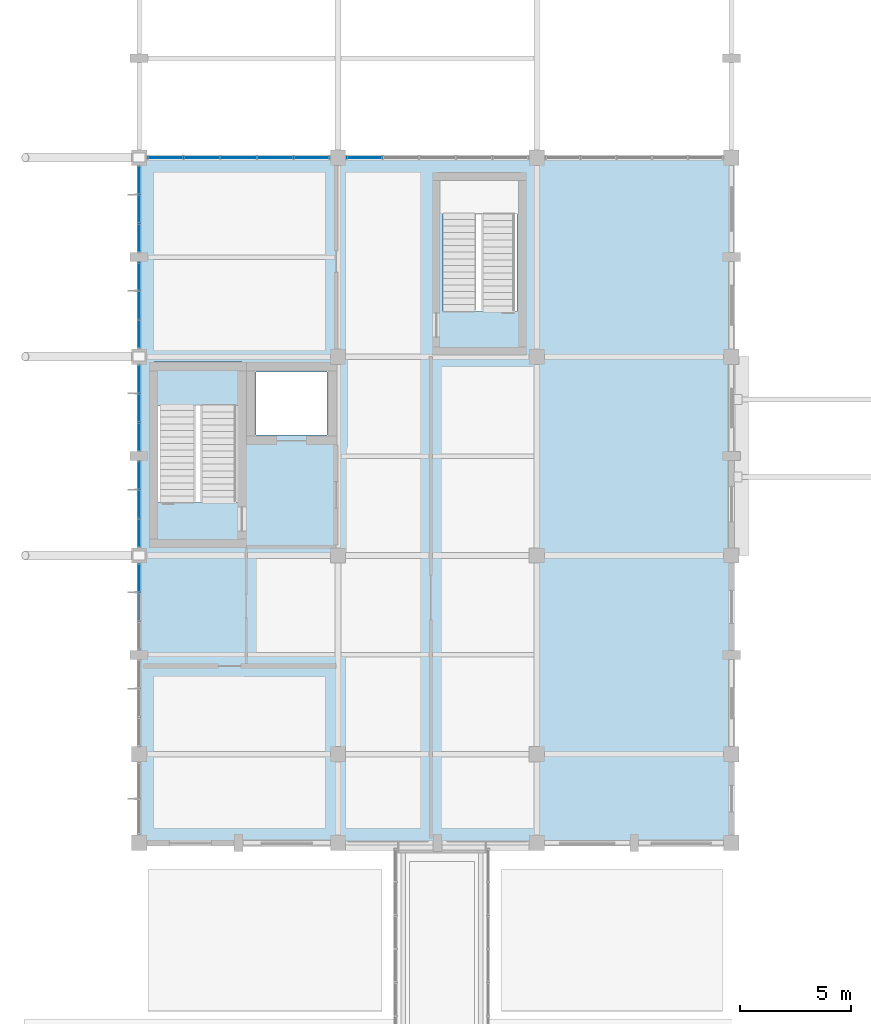
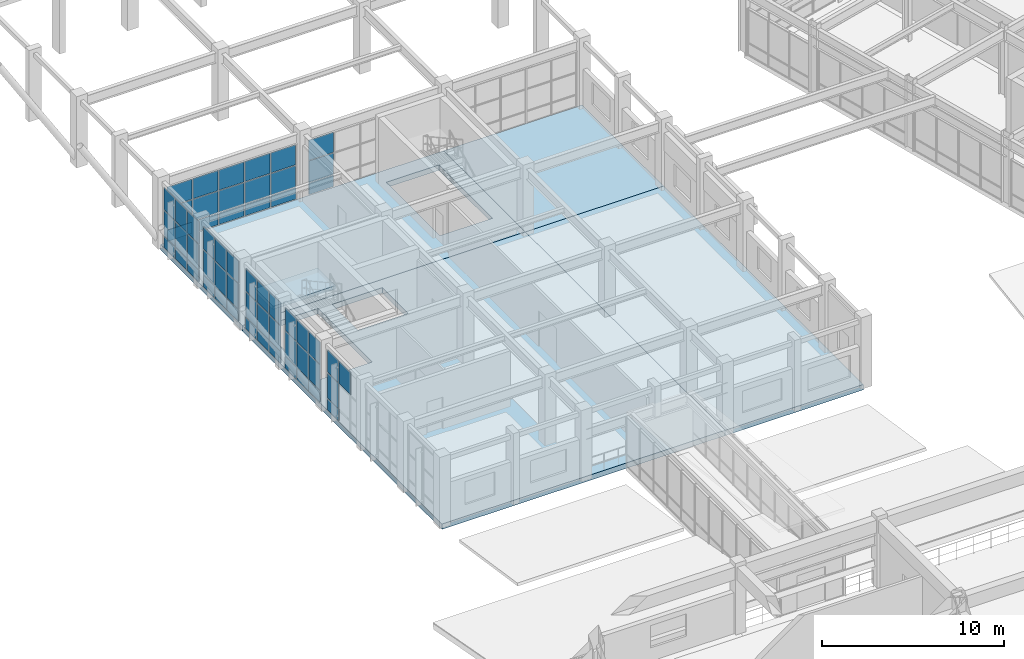
# One storey, part 72 of 104: 58 plates, 5 slabs, 8 elements without a shape of their own.
"""IFC4 building model written with IfcOpenShell, lengths in metres."""

from ifc_helpers import new_model, si_unit, direction, frame, origin, origin_2d, place, context, subcontext, project, spatial, polyline, rectangle, outline, extrude, material, layer, layer_set, type_object, element, aggregate, save


model = new_model("IFC4")

# Units and contexts
model_context = context("Model", 3, precision=1e-05, world=origin(), true_north=direction((0.0, 1.0)))
body_context = subcontext(model_context, "Body", "Model", "MODEL_VIEW")
ifc_project = project(units=[si_unit("LENGTHUNIT", "METRE"), si_unit("AREAUNIT", "SQUARE_METRE"), si_unit("VOLUMEUNIT", "CUBIC_METRE"), si_unit("PLANEANGLEUNIT", "RADIAN"), si_unit("MASSUNIT", "GRAM", prefix="KILO")], contexts=[model_context])

# Site, building, storey
site_placement = place(None, origin())
site = spatial("IfcSite", under=ifc_project, at=site_placement, CompositionType="ELEMENT")
building_placement = place(site_placement, origin())
building = spatial("IfcBuilding", under=site, at=building_placement, Name="Ventoquebrada Cableway Terminal", CompositionType="ELEMENT")
storey_placement = place(building_placement, frame((0.0, 0.0, 4.800048828125)))
storey = spatial("IfcBuildingStorey", under=building, at=storey_placement, Name="L01", CompositionType="ELEMENT", Elevation=4.800048828125)

# Curtain wall, plates
ifc_material_1 = material(Name="Anodized thermally-broken aluminium", Category="aluminium")
ifc_layer_1 = layer(ifc_material_1, 0.159912109375)
ifc_layer_set_1 = layer_set([ifc_layer_1], Name="Anodized thermally-broken aluminium")
curtain_wall_type_1 = type_object("IfcCurtainWallType", Name="CW-T14", PredefinedType="USERDEFINED", material=ifc_layer_set_1)
curtain_wall_1_placement = place(storey_placement, origin())
curtain_wall_1 = element("IfcCurtainWall", 1, at=curtain_wall_1_placement, inside=storey, type_object=curtain_wall_type_1, Name="Unitised glazed curtain wall CW-030", ObjectType="UNITISED CURTAIN WALL", PredefinedType="USERDEFINED")
ifc_material_2 = material(Name="Double low-e laminated safety glazing", Category="glass")
ifc_layer_2 = layer(ifc_material_2, 0.031982421875)
ifc_layer_set_2 = layer_set([ifc_layer_2], Name="Double low-e laminated safety glazing")
plate_type_1 = type_object("IfcPlateType", Name="CWP-GL1", PredefinedType="CURTAIN_PANEL", material=ifc_layer_set_2)
plate_1_placement = place(storey_placement, frame((15.998046875, 95.0, 2.36328125), z_axis=(0.0, 0.0, 1.0), x_axis=(-1.0, 0.0, 0.0)))
plate_1 = element("IfcPlate", 2, at=plate_1_placement, type_object=plate_type_1, Name="Vision glazing panel PN-0290", PredefinedType="CURTAIN_PANEL", context=body_context, shape_type="SweptSolid", body=[
    extrude(rectangle(XDim=1.573974609375, YDim=0.031982421875, at=origin_2d()), origin(), (0.0, 0.0, 1.0), 1.34912109375),
])
plate_2_placement = place(storey_placement, frame((14.35693359375, 95.0, 0.875), z_axis=(0.0, 0.0, 1.0), x_axis=(-1.0, 0.0, 0.0)))
plate_2 = element("IfcPlate", 3, at=plate_2_placement, type_object=plate_type_1, Name="Vision glazing panel PN-0292", PredefinedType="CURTAIN_PANEL", context=body_context, shape_type="SweptSolid", body=[
    extrude(rectangle(XDim=1.60888671875, YDim=0.031982421875, at=origin_2d()), origin(), (0.0, 0.0, 1.0), 1.43994140625),
])
plate_3_placement = place(storey_placement, frame((12.699951171875, 95.0, 2.36328125), z_axis=(0.0, 0.0, 1.0), x_axis=(-1.0, 0.0, 0.0)))
plate_3 = element("IfcPlate", 4, at=plate_3_placement, type_object=plate_type_1, Name="Vision glazing panel PN-0296", PredefinedType="CURTAIN_PANEL", context=body_context, shape_type="SweptSolid", body=[
    extrude(rectangle(XDim=1.60888671875, YDim=0.031982421875, at=origin_2d()), origin(), (0.0, 0.0, 1.0), 1.34912109375),
])
plate_4_placement = place(storey_placement, frame((11.041015625, 95.0, 0.875), z_axis=(0.0, 0.0, 1.0), x_axis=(-1.0, 0.0, 0.0)))
plate_4 = element("IfcPlate", 5, at=plate_4_placement, type_object=plate_type_1, Name="Vision glazing panel PN-0298", PredefinedType="CURTAIN_PANEL", context=body_context, shape_type="SweptSolid", body=[
    extrude(rectangle(XDim=1.60888671875, YDim=0.031982421875, at=origin_2d()), origin(), (0.0, 0.0, 1.0), 1.43994140625),
])
plate_5_placement = place(storey_placement, frame((9.40087890625, 95.0, 2.36328125), z_axis=(0.0, 0.0, 1.0), x_axis=(-1.0, 0.0, 0.0)))
plate_5 = element("IfcPlate", 6, at=plate_5_placement, type_object=plate_type_1, Name="Vision glazing panel PN-0302", PredefinedType="CURTAIN_PANEL", context=body_context, shape_type="SweptSolid", body=[
    extrude(rectangle(XDim=1.573974609375, YDim=0.031982421875, at=origin_2d()), origin(), (0.0, 0.0, 1.0), 1.34912109375),
])

# Curtain wall, plate
curtain_wall_2_placement = place(storey_placement, origin())
curtain_wall_2 = element("IfcCurtainWall", 7, at=curtain_wall_2_placement, inside=storey, type_object=curtain_wall_type_1, Name="Unitised glazed curtain wall CW-031", ObjectType="UNITISED CURTAIN WALL", PredefinedType="USERDEFINED")
plate_6_placement = place(storey_placement, frame((18.40087890625, 95.0, 2.36328125), z_axis=(0.0, 0.0, 1.0), x_axis=(-1.0, 0.0, 0.0)))
plate_6 = element("IfcPlate", 8, at=plate_6_placement, type_object=plate_type_1, Name="Vision glazing panel PN-0317", PredefinedType="CURTAIN_PANEL", context=body_context, shape_type="SweptSolid", body=[
    extrude(rectangle(XDim=1.573974609375, YDim=0.031982421875, at=origin_2d()), origin(), (0.0, 0.0, 1.0), 1.34912109375),
])

ifc_layer_3 = layer(ifc_material_1, 0.159912109375)
ifc_layer_set_3 = layer_set([ifc_layer_3], Name="Anodized thermally-broken aluminium")
curtain_wall_type_2 = type_object("IfcCurtainWallType", Name="CW-T17", PredefinedType="USERDEFINED", material=ifc_layer_set_3)
curtain_wall_3_placement = place(storey_placement, origin())
curtain_wall_3 = element("IfcCurtainWall", 9, at=curtain_wall_3_placement, inside=storey, type_object=curtain_wall_type_2, Name="Unitised glazed curtain wall CW-034", ObjectType="UNITISED CURTAIN WALL", PredefinedType="USERDEFINED")
plate_7_placement = place(storey_placement, frame((8.199951171875, 75.969970703125, 2.603515625), z_axis=(0.0, 0.0, 1.0), x_axis=(0.0, -1.0, 0.0)))
plate_7 = element("IfcPlate", 10, at=plate_7_placement, type_object=plate_type_1, Name="Vision glazing panel PN-0341", PredefinedType="CURTAIN_PANEL", context=body_context, shape_type="SweptSolid", body=[
    extrude(rectangle(XDim=1.22900390625, YDim=0.031982421875, at=origin_2d()), origin(), (0.0, 0.0, 1.0), 1.4970703125),
])

# Curtain wall, plates
curtain_wall_4_placement = place(storey_placement, origin())
curtain_wall_4 = element("IfcCurtainWall", 11, at=curtain_wall_4_placement, inside=storey, type_object=curtain_wall_type_2, Name="Unitised glazed curtain wall CW-036", ObjectType="UNITISED CURTAIN WALL", PredefinedType="USERDEFINED")
plate_8_placement = place(storey_placement, frame((8.199951171875, 84.969970703125, 2.603515625), z_axis=(0.0, 0.0, 1.0), x_axis=(0.0, -1.0, 0.0)))
plate_8 = element("IfcPlate", 12, at=plate_8_placement, type_object=plate_type_1, Name="Vision glazing panel PN-0359", PredefinedType="CURTAIN_PANEL", context=body_context, shape_type="SweptSolid", body=[
    extrude(rectangle(XDim=1.22900390625, YDim=0.031982421875, at=origin_2d()), origin(), (0.0, 0.0, 1.0), 1.4970703125),
])
plate_9_placement = place(storey_placement, frame((8.199951171875, 83.675048828125, 0.8740234375), z_axis=(0.0, 0.0, 1.0), x_axis=(0.0, -1.0, 0.0)))
plate_9 = element("IfcPlate", 13, at=plate_9_placement, type_object=plate_type_1, Name="Vision glazing panel PN-0361", PredefinedType="CURTAIN_PANEL", context=body_context, shape_type="SweptSolid", body=[
    extrude(rectangle(XDim=1.263916015625, YDim=0.031982421875, at=origin_2d()), origin(), (0.0, 0.0, 1.0), 1.679931640625),
])
plate_10_placement = place(storey_placement, frame((8.199951171875, 82.37890625, 2.603515625), z_axis=(0.0, 0.0, 1.0), x_axis=(0.0, -1.0, 0.0)))
plate_10 = element("IfcPlate", 14, at=plate_10_placement, type_object=plate_type_1, Name="Vision glazing panel PN-0365", PredefinedType="CURTAIN_PANEL", context=body_context, shape_type="SweptSolid", body=[
    extrude(rectangle(XDim=1.22900390625, YDim=0.031982421875, at=origin_2d()), origin(), (0.0, 0.0, 1.0), 1.4970703125),
])

curtain_wall_5_placement = place(storey_placement, origin())
curtain_wall_5 = element("IfcCurtainWall", 15, at=curtain_wall_5_placement, inside=storey, type_object=curtain_wall_type_2, Name="Unitised glazed curtain wall CW-037", ObjectType="UNITISED CURTAIN WALL", PredefinedType="USERDEFINED")
plate_11_placement = place(storey_placement, frame((8.199951171875, 80.62109375, 2.603515625), z_axis=(0.0, 0.0, 1.0), x_axis=(0.0, -1.0, 0.0)))
plate_11 = element("IfcPlate", 16, at=plate_11_placement, type_object=plate_type_1, Name="Vision glazing panel PN-0368", PredefinedType="CURTAIN_PANEL", context=body_context, shape_type="SweptSolid", body=[
    extrude(rectangle(XDim=1.22900390625, YDim=0.031982421875, at=origin_2d()), origin(), (0.0, 0.0, 1.0), 1.4970703125),
])
plate_12_placement = place(storey_placement, frame((8.199951171875, 79.324951171875, 0.8740234375), z_axis=(0.0, 0.0, 1.0), x_axis=(0.0, -1.0, 0.0)))
plate_12 = element("IfcPlate", 17, at=plate_12_placement, type_object=plate_type_1, Name="Vision glazing panel PN-0370", PredefinedType="CURTAIN_PANEL", context=body_context, shape_type="SweptSolid", body=[
    extrude(rectangle(XDim=1.263916015625, YDim=0.031982421875, at=origin_2d()), origin(), (0.0, 0.0, 1.0), 1.679931640625),
])
plate_13_placement = place(storey_placement, frame((8.199951171875, 78.030029296875, 2.603515625), z_axis=(0.0, 0.0, 1.0), x_axis=(0.0, -1.0, 0.0)))
plate_13 = element("IfcPlate", 18, at=plate_13_placement, type_object=plate_type_1, Name="Vision glazing panel PN-0374", PredefinedType="CURTAIN_PANEL", context=body_context, shape_type="SweptSolid", body=[
    extrude(rectangle(XDim=1.22900390625, YDim=0.031982421875, at=origin_2d()), origin(), (0.0, 0.0, 1.0), 1.4970703125),
])

curtain_wall_6_placement = place(storey_placement, origin())
curtain_wall_6 = element("IfcCurtainWall", 19, at=curtain_wall_6_placement, inside=storey, type_object=curtain_wall_type_2, Name="Unitised glazed curtain wall CW-038", ObjectType="UNITISED CURTAIN WALL", PredefinedType="USERDEFINED")
plate_14_placement = place(storey_placement, frame((8.199951171875, 93.969970703125, 2.603515625), z_axis=(0.0, 0.0, 1.0), x_axis=(0.0, -1.0, 0.0)))
plate_14 = element("IfcPlate", 20, at=plate_14_placement, type_object=plate_type_1, Name="Vision glazing panel PN-0377", PredefinedType="CURTAIN_PANEL", context=body_context, shape_type="SweptSolid", body=[
    extrude(rectangle(XDim=1.22900390625, YDim=0.031982421875, at=origin_2d()), origin(), (0.0, 0.0, 1.0), 1.4970703125),
])
plate_15_placement = place(storey_placement, frame((8.199951171875, 92.675048828125, 0.8740234375), z_axis=(0.0, 0.0, 1.0), x_axis=(0.0, -1.0, 0.0)))
plate_15 = element("IfcPlate", 21, at=plate_15_placement, type_object=plate_type_1, Name="Vision glazing panel PN-0379", PredefinedType="CURTAIN_PANEL", context=body_context, shape_type="SweptSolid", body=[
    extrude(rectangle(XDim=1.263916015625, YDim=0.031982421875, at=origin_2d()), origin(), (0.0, 0.0, 1.0), 1.679931640625),
])
plate_16_placement = place(storey_placement, frame((8.199951171875, 91.37890625, 2.603515625), z_axis=(0.0, 0.0, 1.0), x_axis=(0.0, -1.0, 0.0)))
plate_16 = element("IfcPlate", 22, at=plate_16_placement, type_object=plate_type_1, Name="Vision glazing panel PN-0383", PredefinedType="CURTAIN_PANEL", context=body_context, shape_type="SweptSolid", body=[
    extrude(rectangle(XDim=1.22900390625, YDim=0.031982421875, at=origin_2d()), origin(), (0.0, 0.0, 1.0), 1.4970703125),
])

curtain_wall_7_placement = place(storey_placement, origin())
curtain_wall_7 = element("IfcCurtainWall", 23, at=curtain_wall_7_placement, inside=storey, type_object=curtain_wall_type_2, Name="Unitised glazed curtain wall CW-039", ObjectType="UNITISED CURTAIN WALL", PredefinedType="USERDEFINED")
plate_17_placement = place(storey_placement, frame((8.199951171875, 89.62109375, 2.603515625), z_axis=(0.0, 0.0, 1.0), x_axis=(0.0, -1.0, 0.0)))
plate_17 = element("IfcPlate", 24, at=plate_17_placement, type_object=plate_type_1, Name="Vision glazing panel PN-0386", PredefinedType="CURTAIN_PANEL", context=body_context, shape_type="SweptSolid", body=[
    extrude(rectangle(XDim=1.22900390625, YDim=0.031982421875, at=origin_2d()), origin(), (0.0, 0.0, 1.0), 1.4970703125),
])
plate_18_placement = place(storey_placement, frame((8.199951171875, 88.324951171875, 0.8740234375), z_axis=(0.0, 0.0, 1.0), x_axis=(0.0, -1.0, 0.0)))
plate_18 = element("IfcPlate", 25, at=plate_18_placement, type_object=plate_type_1, Name="Vision glazing panel PN-0388", PredefinedType="CURTAIN_PANEL", context=body_context, shape_type="SweptSolid", body=[
    extrude(rectangle(XDim=1.263916015625, YDim=0.031982421875, at=origin_2d()), origin(), (0.0, 0.0, 1.0), 1.679931640625),
])
plate_19_placement = place(storey_placement, frame((8.199951171875, 87.030029296875, 2.603515625), z_axis=(0.0, 0.0, 1.0), x_axis=(0.0, -1.0, 0.0)))
plate_19 = element("IfcPlate", 26, at=plate_19_placement, type_object=plate_type_1, Name="Vision glazing panel PN-0392", PredefinedType="CURTAIN_PANEL", context=body_context, shape_type="SweptSolid", body=[
    extrude(rectangle(XDim=1.22900390625, YDim=0.031982421875, at=origin_2d()), origin(), (0.0, 0.0, 1.0), 1.4970703125),
])

# Plate
ifc_layer_4 = layer(ifc_material_2, 0.0380859375)
ifc_layer_set_4 = layer_set([ifc_layer_4], Name="Double low-e laminated safety glazing")
plate_type_2 = type_object("IfcPlateType", Name="CWP-GL2", PredefinedType="CURTAIN_PANEL", material=ifc_layer_set_4)
plate_20_placement = place(storey_placement, frame((15.998046875, 95.0, 0.875), z_axis=(0.0, 0.0, 1.0), x_axis=(-1.0, 0.0, 0.0)))
plate_20 = element("IfcPlate", 27, at=plate_20_placement, type_object=plate_type_2, Name="Vision glazing panel PN-0289", PredefinedType="CURTAIN_PANEL", context=body_context, shape_type="SweptSolid", body=[
    extrude(rectangle(XDim=1.573974609375, YDim=0.0380859375, at=origin_2d()), origin(), (0.0, 0.0, 1.0), 1.43994140625),
])

plate_21_placement = place(storey_placement, frame((14.35693359375, 95.0, 2.36328125), z_axis=(0.0, 0.0, 1.0), x_axis=(-1.0, 0.0, 0.0)))
plate_21 = element("IfcPlate", 28, at=plate_21_placement, type_object=plate_type_2, Name="Vision glazing panel PN-0293", PredefinedType="CURTAIN_PANEL", context=body_context, shape_type="SweptSolid", body=[
    extrude(rectangle(XDim=1.60888671875, YDim=0.0380859375, at=origin_2d()), origin(), (0.0, 0.0, 1.0), 1.34912109375),
])

plate_22_placement = place(storey_placement, frame((12.699951171875, 95.0, 0.875), z_axis=(0.0, 0.0, 1.0), x_axis=(-1.0, 0.0, 0.0)))
plate_22 = element("IfcPlate", 29, at=plate_22_placement, type_object=plate_type_2, Name="Vision glazing panel PN-0295", PredefinedType="CURTAIN_PANEL", context=body_context, shape_type="SweptSolid", body=[
    extrude(rectangle(XDim=1.60888671875, YDim=0.0380859375, at=origin_2d()), origin(), (0.0, 0.0, 1.0), 1.43994140625),
])

plate_23_placement = place(storey_placement, frame((11.041015625, 95.0, 2.36328125), z_axis=(0.0, 0.0, 1.0), x_axis=(-1.0, 0.0, 0.0)))
plate_23 = element("IfcPlate", 30, at=plate_23_placement, type_object=plate_type_2, Name="Vision glazing panel PN-0299", PredefinedType="CURTAIN_PANEL", context=body_context, shape_type="SweptSolid", body=[
    extrude(rectangle(XDim=1.60888671875, YDim=0.0380859375, at=origin_2d()), origin(), (0.0, 0.0, 1.0), 1.34912109375),
])

plate_24_placement = place(storey_placement, frame((9.40087890625, 95.0, 0.875), z_axis=(0.0, 0.0, 1.0), x_axis=(-1.0, 0.0, 0.0)))
plate_24 = element("IfcPlate", 31, at=plate_24_placement, type_object=plate_type_2, Name="Vision glazing panel PN-0301", PredefinedType="CURTAIN_PANEL", context=body_context, shape_type="SweptSolid", body=[
    extrude(rectangle(XDim=1.573974609375, YDim=0.0380859375, at=origin_2d()), origin(), (0.0, 0.0, 1.0), 1.43994140625),
])

plate_25_placement = place(storey_placement, frame((18.40087890625, 95.0, 0.875), z_axis=(0.0, 0.0, 1.0), x_axis=(-1.0, 0.0, 0.0)))
plate_25 = element("IfcPlate", 32, at=plate_25_placement, type_object=plate_type_2, Name="Vision glazing panel PN-0316", PredefinedType="CURTAIN_PANEL", context=body_context, shape_type="SweptSolid", body=[
    extrude(rectangle(XDim=1.573974609375, YDim=0.0380859375, at=origin_2d()), origin(), (0.0, 0.0, 1.0), 1.43994140625),
])

plate_26_placement = place(storey_placement, frame((8.199951171875, 75.969970703125, 0.8740234375), z_axis=(0.0, 0.0, 1.0), x_axis=(0.0, -1.0, 0.0)))
plate_26 = element("IfcPlate", 33, at=plate_26_placement, type_object=plate_type_2, Name="Vision glazing panel PN-0340", PredefinedType="CURTAIN_PANEL", context=body_context, shape_type="SweptSolid", body=[
    extrude(rectangle(XDim=1.22900390625, YDim=0.0380859375, at=origin_2d()), origin(), (0.0, 0.0, 1.0), 1.679931640625),
])

plate_27_placement = place(storey_placement, frame((8.199951171875, 74.675048828125, 2.603515625), z_axis=(0.0, 0.0, 1.0), x_axis=(0.0, -1.0, 0.0)))
plate_27 = element("IfcPlate", 34, at=plate_27_placement, type_object=plate_type_2, Name="Vision glazing panel PN-0344", PredefinedType="CURTAIN_PANEL", context=body_context, shape_type="SweptSolid", body=[
    extrude(rectangle(XDim=1.263916015625, YDim=0.0380859375, at=origin_2d()), origin(), (0.0, 0.0, 1.0), 1.4970703125),
])

plate_28_placement = place(storey_placement, frame((8.199951171875, 84.969970703125, 0.8740234375), z_axis=(0.0, 0.0, 1.0), x_axis=(0.0, -1.0, 0.0)))
plate_28 = element("IfcPlate", 35, at=plate_28_placement, type_object=plate_type_2, Name="Vision glazing panel PN-0358", PredefinedType="CURTAIN_PANEL", context=body_context, shape_type="SweptSolid", body=[
    extrude(rectangle(XDim=1.22900390625, YDim=0.0380859375, at=origin_2d()), origin(), (0.0, 0.0, 1.0), 1.679931640625),
])

plate_29_placement = place(storey_placement, frame((8.199951171875, 83.675048828125, 2.603515625), z_axis=(0.0, 0.0, 1.0), x_axis=(0.0, -1.0, 0.0)))
plate_29 = element("IfcPlate", 36, at=plate_29_placement, type_object=plate_type_2, Name="Vision glazing panel PN-0362", PredefinedType="CURTAIN_PANEL", context=body_context, shape_type="SweptSolid", body=[
    extrude(rectangle(XDim=1.263916015625, YDim=0.0380859375, at=origin_2d()), origin(), (0.0, 0.0, 1.0), 1.4970703125),
])

plate_30_placement = place(storey_placement, frame((8.199951171875, 82.37890625, 0.8740234375), z_axis=(0.0, 0.0, 1.0), x_axis=(0.0, -1.0, 0.0)))
plate_30 = element("IfcPlate", 37, at=plate_30_placement, type_object=plate_type_2, Name="Vision glazing panel PN-0364", PredefinedType="CURTAIN_PANEL", context=body_context, shape_type="SweptSolid", body=[
    extrude(rectangle(XDim=1.22900390625, YDim=0.0380859375, at=origin_2d()), origin(), (0.0, 0.0, 1.0), 1.679931640625),
])

plate_31_placement = place(storey_placement, frame((8.199951171875, 80.62109375, 0.8740234375), z_axis=(0.0, 0.0, 1.0), x_axis=(0.0, -1.0, 0.0)))
plate_31 = element("IfcPlate", 38, at=plate_31_placement, type_object=plate_type_2, Name="Vision glazing panel PN-0367", PredefinedType="CURTAIN_PANEL", context=body_context, shape_type="SweptSolid", body=[
    extrude(rectangle(XDim=1.22900390625, YDim=0.0380859375, at=origin_2d()), origin(), (0.0, 0.0, 1.0), 1.679931640625),
])

plate_32_placement = place(storey_placement, frame((8.199951171875, 79.324951171875, 2.603515625), z_axis=(0.0, 0.0, 1.0), x_axis=(0.0, -1.0, 0.0)))
plate_32 = element("IfcPlate", 39, at=plate_32_placement, type_object=plate_type_2, Name="Vision glazing panel PN-0371", PredefinedType="CURTAIN_PANEL", context=body_context, shape_type="SweptSolid", body=[
    extrude(rectangle(XDim=1.263916015625, YDim=0.0380859375, at=origin_2d()), origin(), (0.0, 0.0, 1.0), 1.4970703125),
])

plate_33_placement = place(storey_placement, frame((8.199951171875, 78.030029296875, 0.8740234375), z_axis=(0.0, 0.0, 1.0), x_axis=(0.0, -1.0, 0.0)))
plate_33 = element("IfcPlate", 40, at=plate_33_placement, type_object=plate_type_2, Name="Vision glazing panel PN-0373", PredefinedType="CURTAIN_PANEL", context=body_context, shape_type="SweptSolid", body=[
    extrude(rectangle(XDim=1.22900390625, YDim=0.0380859375, at=origin_2d()), origin(), (0.0, 0.0, 1.0), 1.679931640625),
])

plate_34_placement = place(storey_placement, frame((8.199951171875, 93.969970703125, 0.8740234375), z_axis=(0.0, 0.0, 1.0), x_axis=(0.0, -1.0, 0.0)))
plate_34 = element("IfcPlate", 41, at=plate_34_placement, type_object=plate_type_2, Name="Vision glazing panel PN-0376", PredefinedType="CURTAIN_PANEL", context=body_context, shape_type="SweptSolid", body=[
    extrude(rectangle(XDim=1.22900390625, YDim=0.0380859375, at=origin_2d()), origin(), (0.0, 0.0, 1.0), 1.679931640625),
])

plate_35_placement = place(storey_placement, frame((8.199951171875, 92.675048828125, 2.603515625), z_axis=(0.0, 0.0, 1.0), x_axis=(0.0, -1.0, 0.0)))
plate_35 = element("IfcPlate", 42, at=plate_35_placement, type_object=plate_type_2, Name="Vision glazing panel PN-0380", PredefinedType="CURTAIN_PANEL", context=body_context, shape_type="SweptSolid", body=[
    extrude(rectangle(XDim=1.263916015625, YDim=0.0380859375, at=origin_2d()), origin(), (0.0, 0.0, 1.0), 1.4970703125),
])

plate_36_placement = place(storey_placement, frame((8.199951171875, 91.37890625, 0.8740234375), z_axis=(0.0, 0.0, 1.0), x_axis=(0.0, -1.0, 0.0)))
plate_36 = element("IfcPlate", 43, at=plate_36_placement, type_object=plate_type_2, Name="Vision glazing panel PN-0382", PredefinedType="CURTAIN_PANEL", context=body_context, shape_type="SweptSolid", body=[
    extrude(rectangle(XDim=1.22900390625, YDim=0.0380859375, at=origin_2d()), origin(), (0.0, 0.0, 1.0), 1.679931640625),
])

plate_37_placement = place(storey_placement, frame((8.199951171875, 89.62109375, 0.8740234375), z_axis=(0.0, 0.0, 1.0), x_axis=(0.0, -1.0, 0.0)))
plate_37 = element("IfcPlate", 44, at=plate_37_placement, type_object=plate_type_2, Name="Vision glazing panel PN-0385", PredefinedType="CURTAIN_PANEL", context=body_context, shape_type="SweptSolid", body=[
    extrude(rectangle(XDim=1.22900390625, YDim=0.0380859375, at=origin_2d()), origin(), (0.0, 0.0, 1.0), 1.679931640625),
])

plate_38_placement = place(storey_placement, frame((8.199951171875, 88.324951171875, 2.603515625), z_axis=(0.0, 0.0, 1.0), x_axis=(0.0, -1.0, 0.0)))
plate_38 = element("IfcPlate", 45, at=plate_38_placement, type_object=plate_type_2, Name="Vision glazing panel PN-0389", PredefinedType="CURTAIN_PANEL", context=body_context, shape_type="SweptSolid", body=[
    extrude(rectangle(XDim=1.263916015625, YDim=0.0380859375, at=origin_2d()), origin(), (0.0, 0.0, 1.0), 1.4970703125),
])

plate_39_placement = place(storey_placement, frame((8.199951171875, 87.030029296875, 0.8740234375), z_axis=(0.0, 0.0, 1.0), x_axis=(0.0, -1.0, 0.0)))
plate_39 = element("IfcPlate", 46, at=plate_39_placement, type_object=plate_type_2, Name="Vision glazing panel PN-0391", PredefinedType="CURTAIN_PANEL", context=body_context, shape_type="SweptSolid", body=[
    extrude(rectangle(XDim=1.22900390625, YDim=0.0380859375, at=origin_2d()), origin(), (0.0, 0.0, 1.0), 1.679931640625),
])

ifc_material_3 = material(Name="Insulated aluminium spandrel cassette", Category="aluminium")
ifc_layer_5 = layer(ifc_material_3, 0.044921875)
ifc_layer_set_5 = layer_set([ifc_layer_5], Name="Insulated aluminium spandrel cassette")
plate_type_3 = type_object("IfcPlateType", Name="CWP-SP1", PredefinedType="CURTAIN_PANEL", material=ifc_layer_set_5)
plate_40_placement = place(storey_placement, frame((15.998046875, 95.0, 0.058837890625), z_axis=(0.0, 0.0, 1.0), x_axis=(-1.0, 0.0, 0.0)))
plate_40 = element("IfcPlate", 47, at=plate_40_placement, type_object=plate_type_3, Name="Insulated spandrel panel PN-0288", PredefinedType="CURTAIN_PANEL", context=body_context, shape_type="SweptSolid", body=[
    extrude(rectangle(XDim=1.573974609375, YDim=0.044921875, at=origin_2d()), origin(), (0.0, 0.0, 1.0), 0.76611328125),
])

plate_41_placement = place(storey_placement, frame((14.35693359375, 95.0, 0.058837890625), z_axis=(0.0, 0.0, 1.0), x_axis=(-1.0, 0.0, 0.0)))
plate_41 = element("IfcPlate", 48, at=plate_41_placement, type_object=plate_type_3, Name="Insulated spandrel panel PN-0291", PredefinedType="CURTAIN_PANEL", context=body_context, shape_type="SweptSolid", body=[
    extrude(rectangle(XDim=1.60888671875, YDim=0.044921875, at=origin_2d()), origin(), (0.0, 0.0, 1.0), 0.76611328125),
])

plate_42_placement = place(storey_placement, frame((12.699951171875, 95.0, 0.058837890625), z_axis=(0.0, 0.0, 1.0), x_axis=(-1.0, 0.0, 0.0)))
plate_42 = element("IfcPlate", 49, at=plate_42_placement, type_object=plate_type_3, Name="Insulated spandrel panel PN-0294", PredefinedType="CURTAIN_PANEL", context=body_context, shape_type="SweptSolid", body=[
    extrude(rectangle(XDim=1.60888671875, YDim=0.044921875, at=origin_2d()), origin(), (0.0, 0.0, 1.0), 0.76611328125),
])

plate_43_placement = place(storey_placement, frame((11.041015625, 95.0, 0.058837890625), z_axis=(0.0, 0.0, 1.0), x_axis=(-1.0, 0.0, 0.0)))
plate_43 = element("IfcPlate", 50, at=plate_43_placement, type_object=plate_type_3, Name="Insulated spandrel panel PN-0297", PredefinedType="CURTAIN_PANEL", context=body_context, shape_type="SweptSolid", body=[
    extrude(rectangle(XDim=1.60888671875, YDim=0.044921875, at=origin_2d()), origin(), (0.0, 0.0, 1.0), 0.76611328125),
])

plate_44_placement = place(storey_placement, frame((9.40087890625, 95.0, 0.058837890625), z_axis=(0.0, 0.0, 1.0), x_axis=(-1.0, 0.0, 0.0)))
plate_44 = element("IfcPlate", 51, at=plate_44_placement, type_object=plate_type_3, Name="Insulated spandrel panel PN-0300", PredefinedType="CURTAIN_PANEL", context=body_context, shape_type="SweptSolid", body=[
    extrude(rectangle(XDim=1.573974609375, YDim=0.044921875, at=origin_2d()), origin(), (0.0, 0.0, 1.0), 0.76611328125),
])

aggregate(curtain_wall_1, [plate_40, plate_20, plate_1, plate_41, plate_2, plate_21, plate_42, plate_22, plate_3, plate_43, plate_4, plate_23, plate_44, plate_24, plate_5])

plate_45_placement = place(storey_placement, frame((18.40087890625, 95.0, 0.058837890625), z_axis=(0.0, 0.0, 1.0), x_axis=(-1.0, 0.0, 0.0)))
plate_45 = element("IfcPlate", 52, at=plate_45_placement, type_object=plate_type_3, Name="Insulated spandrel panel PN-0315", PredefinedType="CURTAIN_PANEL", context=body_context, shape_type="SweptSolid", body=[
    extrude(rectangle(XDim=1.573974609375, YDim=0.044921875, at=origin_2d()), origin(), (0.0, 0.0, 1.0), 0.76611328125),
])

aggregate(curtain_wall_2, [plate_45, plate_25, plate_6])

plate_46_placement = place(storey_placement, frame((8.199951171875, 75.969970703125, 0.058837890625), z_axis=(0.0, 0.0, 1.0), x_axis=(0.0, -1.0, 0.0)))
plate_46 = element("IfcPlate", 53, at=plate_46_placement, type_object=plate_type_3, Name="Insulated spandrel panel PN-0339", PredefinedType="CURTAIN_PANEL", context=body_context, shape_type="SweptSolid", body=[
    extrude(rectangle(XDim=1.22900390625, YDim=0.044921875, at=origin_2d()), origin(), (0.0, 0.0, 1.0), 0.76611328125),
])

aggregate(curtain_wall_3, [plate_46, plate_26, plate_7, plate_27])

plate_47_placement = place(storey_placement, frame((8.199951171875, 84.969970703125, 0.058837890625), z_axis=(0.0, 0.0, 1.0), x_axis=(0.0, -1.0, 0.0)))
plate_47 = element("IfcPlate", 54, at=plate_47_placement, type_object=plate_type_3, Name="Insulated spandrel panel PN-0357", PredefinedType="CURTAIN_PANEL", context=body_context, shape_type="SweptSolid", body=[
    extrude(rectangle(XDim=1.22900390625, YDim=0.044921875, at=origin_2d()), origin(), (0.0, 0.0, 1.0), 0.76611328125),
])

plate_48_placement = place(storey_placement, frame((8.199951171875, 83.675048828125, 0.058837890625), z_axis=(0.0, 0.0, 1.0), x_axis=(0.0, -1.0, 0.0)))
plate_48 = element("IfcPlate", 55, at=plate_48_placement, type_object=plate_type_3, Name="Insulated spandrel panel PN-0360", PredefinedType="CURTAIN_PANEL", context=body_context, shape_type="SweptSolid", body=[
    extrude(rectangle(XDim=1.263916015625, YDim=0.044921875, at=origin_2d()), origin(), (0.0, 0.0, 1.0), 0.76611328125),
])

plate_49_placement = place(storey_placement, frame((8.199951171875, 82.37890625, 0.058837890625), z_axis=(0.0, 0.0, 1.0), x_axis=(0.0, -1.0, 0.0)))
plate_49 = element("IfcPlate", 56, at=plate_49_placement, type_object=plate_type_3, Name="Insulated spandrel panel PN-0363", PredefinedType="CURTAIN_PANEL", context=body_context, shape_type="SweptSolid", body=[
    extrude(rectangle(XDim=1.22900390625, YDim=0.044921875, at=origin_2d()), origin(), (0.0, 0.0, 1.0), 0.76611328125),
])

aggregate(curtain_wall_4, [plate_47, plate_28, plate_8, plate_48, plate_9, plate_29, plate_49, plate_30, plate_10])

plate_50_placement = place(storey_placement, frame((8.199951171875, 80.62109375, 0.058837890625), z_axis=(0.0, 0.0, 1.0), x_axis=(0.0, -1.0, 0.0)))
plate_50 = element("IfcPlate", 57, at=plate_50_placement, type_object=plate_type_3, Name="Insulated spandrel panel PN-0366", PredefinedType="CURTAIN_PANEL", context=body_context, shape_type="SweptSolid", body=[
    extrude(rectangle(XDim=1.22900390625, YDim=0.044921875, at=origin_2d()), origin(), (0.0, 0.0, 1.0), 0.76611328125),
])

plate_51_placement = place(storey_placement, frame((8.199951171875, 79.324951171875, 0.058837890625), z_axis=(0.0, 0.0, 1.0), x_axis=(0.0, -1.0, 0.0)))
plate_51 = element("IfcPlate", 58, at=plate_51_placement, type_object=plate_type_3, Name="Insulated spandrel panel PN-0369", PredefinedType="CURTAIN_PANEL", context=body_context, shape_type="SweptSolid", body=[
    extrude(rectangle(XDim=1.263916015625, YDim=0.044921875, at=origin_2d()), origin(), (0.0, 0.0, 1.0), 0.76611328125),
])

plate_52_placement = place(storey_placement, frame((8.199951171875, 78.030029296875, 0.058837890625), z_axis=(0.0, 0.0, 1.0), x_axis=(0.0, -1.0, 0.0)))
plate_52 = element("IfcPlate", 59, at=plate_52_placement, type_object=plate_type_3, Name="Insulated spandrel panel PN-0372", PredefinedType="CURTAIN_PANEL", context=body_context, shape_type="SweptSolid", body=[
    extrude(rectangle(XDim=1.22900390625, YDim=0.044921875, at=origin_2d()), origin(), (0.0, 0.0, 1.0), 0.76611328125),
])

aggregate(curtain_wall_5, [plate_50, plate_31, plate_11, plate_51, plate_12, plate_32, plate_52, plate_33, plate_13])

plate_53_placement = place(storey_placement, frame((8.199951171875, 93.969970703125, 0.058837890625), z_axis=(0.0, 0.0, 1.0), x_axis=(0.0, -1.0, 0.0)))
plate_53 = element("IfcPlate", 60, at=plate_53_placement, type_object=plate_type_3, Name="Insulated spandrel panel PN-0375", PredefinedType="CURTAIN_PANEL", context=body_context, shape_type="SweptSolid", body=[
    extrude(rectangle(XDim=1.22900390625, YDim=0.044921875, at=origin_2d()), origin(), (0.0, 0.0, 1.0), 0.76611328125),
])

plate_54_placement = place(storey_placement, frame((8.199951171875, 92.675048828125, 0.058837890625), z_axis=(0.0, 0.0, 1.0), x_axis=(0.0, -1.0, 0.0)))
plate_54 = element("IfcPlate", 61, at=plate_54_placement, type_object=plate_type_3, Name="Insulated spandrel panel PN-0378", PredefinedType="CURTAIN_PANEL", context=body_context, shape_type="SweptSolid", body=[
    extrude(rectangle(XDim=1.263916015625, YDim=0.044921875, at=origin_2d()), origin(), (0.0, 0.0, 1.0), 0.76611328125),
])

plate_55_placement = place(storey_placement, frame((8.199951171875, 91.37890625, 0.058837890625), z_axis=(0.0, 0.0, 1.0), x_axis=(0.0, -1.0, 0.0)))
plate_55 = element("IfcPlate", 62, at=plate_55_placement, type_object=plate_type_3, Name="Insulated spandrel panel PN-0381", PredefinedType="CURTAIN_PANEL", context=body_context, shape_type="SweptSolid", body=[
    extrude(rectangle(XDim=1.22900390625, YDim=0.044921875, at=origin_2d()), origin(), (0.0, 0.0, 1.0), 0.76611328125),
])

aggregate(curtain_wall_6, [plate_53, plate_34, plate_14, plate_54, plate_15, plate_35, plate_55, plate_36, plate_16])

plate_56_placement = place(storey_placement, frame((8.199951171875, 89.62109375, 0.058837890625), z_axis=(0.0, 0.0, 1.0), x_axis=(0.0, -1.0, 0.0)))
plate_56 = element("IfcPlate", 63, at=plate_56_placement, type_object=plate_type_3, Name="Insulated spandrel panel PN-0384", PredefinedType="CURTAIN_PANEL", context=body_context, shape_type="SweptSolid", body=[
    extrude(rectangle(XDim=1.22900390625, YDim=0.044921875, at=origin_2d()), origin(), (0.0, 0.0, 1.0), 0.76611328125),
])

plate_57_placement = place(storey_placement, frame((8.199951171875, 88.324951171875, 0.058837890625), z_axis=(0.0, 0.0, 1.0), x_axis=(0.0, -1.0, 0.0)))
plate_57 = element("IfcPlate", 64, at=plate_57_placement, type_object=plate_type_3, Name="Insulated spandrel panel PN-0387", PredefinedType="CURTAIN_PANEL", context=body_context, shape_type="SweptSolid", body=[
    extrude(rectangle(XDim=1.263916015625, YDim=0.044921875, at=origin_2d()), origin(), (0.0, 0.0, 1.0), 0.76611328125),
])

plate_58_placement = place(storey_placement, frame((8.199951171875, 87.030029296875, 0.058837890625), z_axis=(0.0, 0.0, 1.0), x_axis=(0.0, -1.0, 0.0)))
plate_58 = element("IfcPlate", 65, at=plate_58_placement, type_object=plate_type_3, Name="Insulated spandrel panel PN-0390", PredefinedType="CURTAIN_PANEL", context=body_context, shape_type="SweptSolid", body=[
    extrude(rectangle(XDim=1.22900390625, YDim=0.044921875, at=origin_2d()), origin(), (0.0, 0.0, 1.0), 0.76611328125),
])

aggregate(curtain_wall_7, [plate_56, plate_37, plate_17, plate_57, plate_18, plate_38, plate_58, plate_39, plate_19])

# Slabs
ifc_material_4 = material(Name="Concrete C40/50", Category="concrete")
ifc_layer_6 = layer(ifc_material_4, 0.360107421875)
ifc_layer_set_6 = layer_set([ifc_layer_6], Name="Concrete C40/50")
slab_type_1 = type_object("IfcSlabType", Name="SL-FL1", PredefinedType="FLOOR", material=ifc_layer_set_6)
slab_1_placement = place(storey_placement, frame((0.0, 0.0, -0.360107421875)))
element("IfcSlab", 66, at=slab_1_placement, inside=storey, type_object=slab_type_1, Name="Reinforced concrete floor slab SL-019", PredefinedType="FLOOR", context=body_context, shape_type="SweptSolid", body=[
    extrude(outline(polyline([(8.199951171875, 64.0), (26.199951171875, 64.0), (26.199951171875, 86.0), (8.199951171875, 86.0), (8.199951171875, 64.0)]), holes=[polyline([(12.64990234375, 85.35009765625), (12.64990234375, 79.389892578125), (9.050048828125, 79.389892578125), (9.050048828125, 85.35009765625), (12.64990234375, 85.35009765625)]), polyline([(16.699951171875, 82.449951171875), (13.5, 82.449951171875), (13.5, 85.300048828125), (16.699951171875, 85.300048828125), (16.699951171875, 82.449951171875)])]), origin(), (0.0, 0.0, 1.0), 0.360107421875),
])
slab_2_placement = place(storey_placement, frame((0.0, 0.0, -0.360107421875)))
element("IfcSlab", 67, at=slab_2_placement, inside=storey, type_object=slab_type_1, Name="Reinforced concrete floor slab SL-020", PredefinedType="FLOOR", context=body_context, shape_type="SweptSolid", body=[
    extrude(outline(polyline([(26.199951171875, 86.0), (26.199951171875, 95.0), (8.199951171875, 95.0), (8.199951171875, 86.0), (26.199951171875, 86.0)]), holes=[polyline([(25.300048828125, 88.0400390625), (21.949951171875, 88.0400390625), (21.949951171875, 93.949951171875), (25.300048828125, 93.949951171875), (25.300048828125, 88.0400390625)])]), origin(), (0.0, 0.0, 1.0), 0.360107421875),
])
slab_3_placement = place(storey_placement, frame((0.0, 0.0, -0.360107421875)))
element("IfcSlab", 68, at=slab_3_placement, inside=storey, type_object=slab_type_1, Name="Reinforced concrete floor slab SL-021", PredefinedType="FLOOR", context=body_context, shape_type="SweptSolid", body=[
    extrude(outline(polyline([(35.0, 64.0), (35.0, 86.0), (26.199951171875, 86.0), (26.199951171875, 64.0), (35.0, 64.0)])), origin(), (0.0, 0.0, 1.0), 0.360107421875),
])
slab_4_placement = place(storey_placement, frame((0.0, 0.0, -0.360107421875)))
element("IfcSlab", 69, at=slab_4_placement, inside=storey, type_object=slab_type_1, Name="Reinforced concrete floor slab SL-022", PredefinedType="FLOOR", context=body_context, shape_type="SweptSolid", body=[
    extrude(outline(polyline([(35.0, 86.0), (35.0, 95.0), (26.199951171875, 95.0), (26.199951171875, 86.0), (35.0, 86.0)])), origin(), (0.0, 0.0, 1.0), 0.360107421875),
])

# Stair, slab
stair_type = type_object("IfcStairType", Name="ST-T03", PredefinedType="HALF_TURN_STAIR", material=ifc_material_4)
stair_placement = place(storey_placement, origin())
stair = element("IfcStair", 70, at=stair_placement, inside=storey, type_object=stair_type, Name="Protected half-turn stair ST-13", PredefinedType="HALF_TURN_STAIR")
ifc_layer_7 = layer(ifc_material_4, 0.219970703125)
ifc_layer_set_7 = layer_set([ifc_layer_7], Name="Concrete C40/50")
slab_type_2 = type_object("IfcSlabType", Name="SL-LD1", PredefinedType="LANDING", material=ifc_layer_set_7)
slab_5_placement = place(storey_placement, frame((0.0, 0.0, 2.179931640625)))
slab_5 = element("IfcSlab", 71, at=slab_5_placement, type_object=slab_type_2, Name="Intermediate stair landing LDG-013", PredefinedType="LANDING", context=body_context, shape_type="SweptSolid", body=[
    extrude(outline(polyline([(12.860107421875, 83.7900390625), (12.860107421875, 85.760009765625), (8.8798828125, 85.760009765625), (8.8798828125, 83.7900390625), (12.860107421875, 83.7900390625)])), origin(), (0.0, 0.0, 1.0), 0.219970703125),
])
aggregate(stair, [slab_5])

save(model, "model.ifc")
